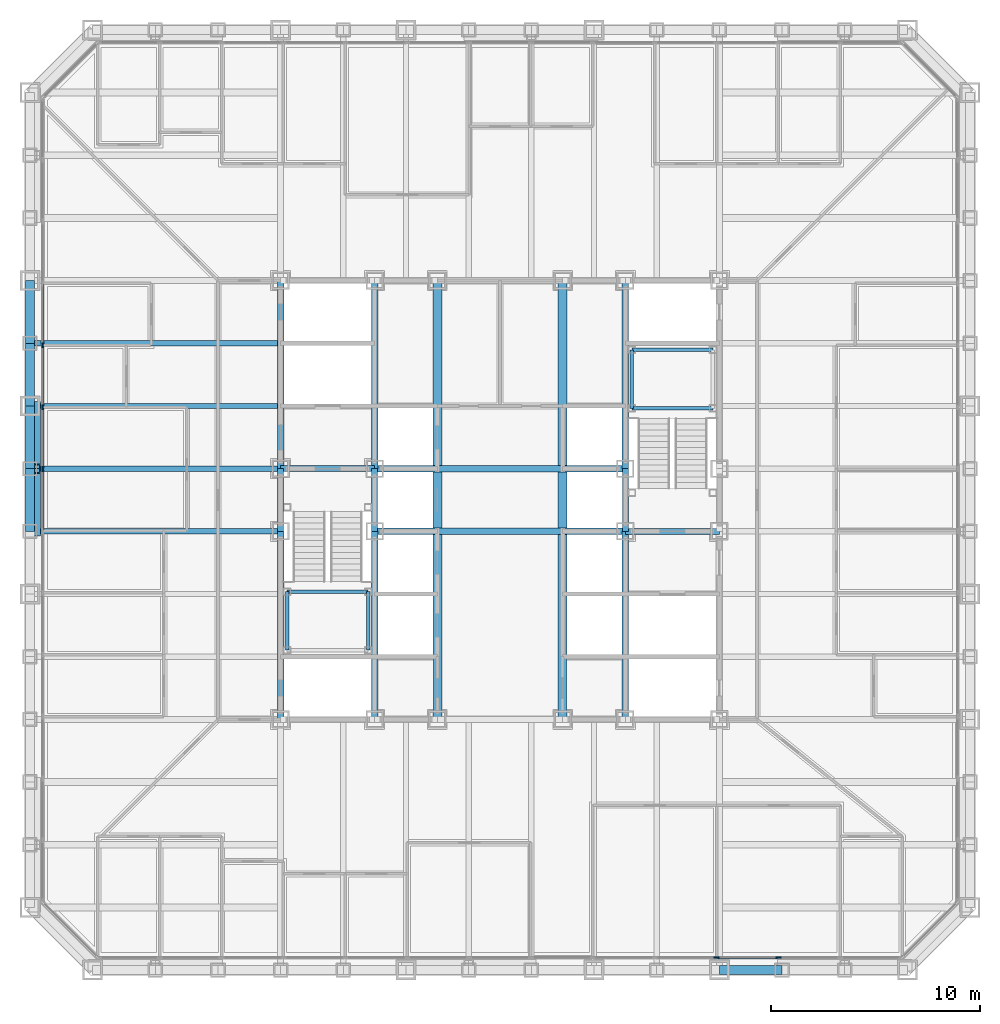
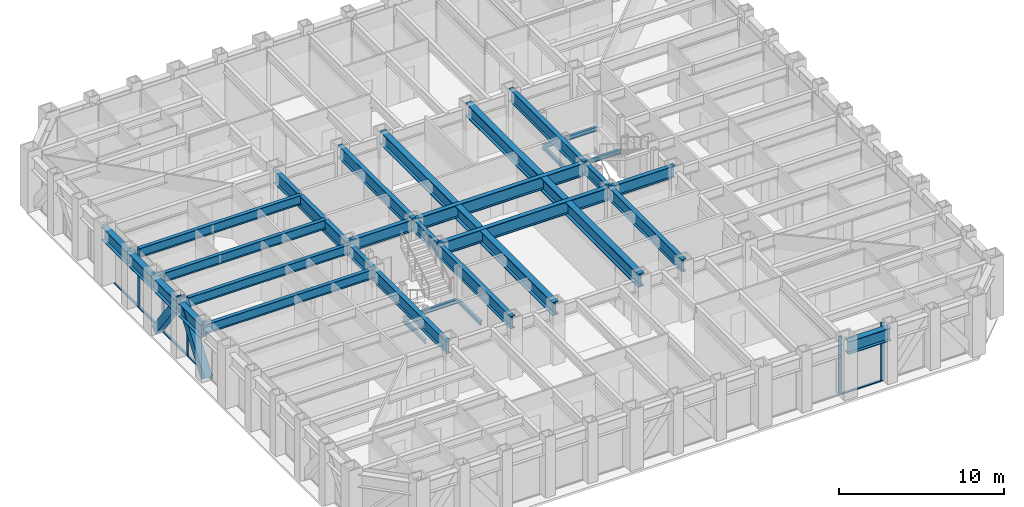
# One storey, part 3 of 17: 34 beams, 12 members, 2 elements without a shape of their own.
"""IFC4 building model written with IfcOpenShell, lengths in metres."""

import ifcopenshell
import ifcopenshell.guid

model = None  # the IFC model being written
_history = None  # IfcOwnerHistory: only IFC2X3 demands one
_inside = {}  # id of a spatial element -> (the spatial element, [elements in it])
_under = {}  # id of a project, library or spatial element -> (it, [spatial elements below it])
_declared = {}  # id of a project -> (the project, [libraries it declares])
_typed = {}  # id of a type object -> (the type object, [elements of that type])
_made_of = {}  # id of a material, layer set ... -> (it, [elements and type objects made of it])


def new_model(schema):
    """Start an empty IFC model of exactly this schema.

    Asked for "IFC4X3", IfcOpenShell would pick the latest addendum, in which some entities
    have other attributes; the version numbers below select the first issue.
    IFC2X3 requires an IfcOwnerHistory on every rooted entity: one is made here for all.
    """
    global model, _history
    if schema == "IFC4X3":
        model = ifcopenshell.file(schema_version=(4, 3, 0, 0))
    else:
        model = ifcopenshell.file(schema=schema)
    _inside.clear()
    _under.clear()
    _declared.clear()
    _typed.clear()
    _made_of.clear()
    _history = None
    if model.schema == "IFC2X3":
        org = make("IfcOrganization", Name="unknown")
        user = make(
            "IfcPersonAndOrganization",
            ThePerson=make("IfcPerson", FamilyName="unknown"),
            TheOrganization=org,
        )
        app = make(
            "IfcApplication",
            ApplicationDeveloper=org,
            Version="unknown",
            ApplicationFullName="unknown",
            ApplicationIdentifier="unknown",
        )
        _history = make(
            "IfcOwnerHistory",
            OwningUser=user,
            OwningApplication=app,
            ChangeAction="ADDED",
            CreationDate=0,
        )
    return model


def make(cls, **values):
    """One entity of the class cls with the attributes given. An attribute that is None is left unset."""
    return model.create_entity(
        cls, **{name: value for name, value in values.items() if value is not None}
    )


def rooted(cls, **values):
    """An entity with a GlobalId (a new one), such as an element, a storey or a relation."""
    return make(cls, GlobalId=ifcopenshell.guid.new(), OwnerHistory=_history, **values)


def si_unit(unit_type, name, prefix=None):
    """IfcSIUnit, for example si_unit("LENGTHUNIT", "METRE", prefix="MILLI")."""
    return make("IfcSIUnit", UnitType=unit_type, Prefix=prefix, Name=name)


def assignment(units):
    """IfcUnitAssignment: the units of a project."""
    return None if units is None else make("IfcUnitAssignment", Units=units)


def point(xyz):
    """IfcCartesianPoint."""
    return None if xyz is None else make("IfcCartesianPoint", Coordinates=xyz)


def direction(xyz):
    """IfcDirection."""
    return None if xyz is None else make("IfcDirection", DirectionRatios=xyz)


def frame(location, z_axis=None, x_axis=None):
    """IfcAxis2Placement3D, a coordinate frame: its origin and axes. An axis left out is left unset."""
    return make(
        "IfcAxis2Placement3D",
        Location=point(location),
        Axis=direction(z_axis),
        RefDirection=direction(x_axis),
    )


def frame_2d(location, x_axis=None):
    """IfcAxis2Placement2D, a coordinate frame in the plane: its origin and x axis."""
    return make(
        "IfcAxis2Placement2D", Location=point(location), RefDirection=direction(x_axis)
    )


def origin():
    """The frame at (0, 0, 0) with its axes left unset."""
    return frame((0.0, 0.0, 0.0))


def origin_2d():
    """The frame at (0, 0) in the plane with its x axis left unset."""
    return frame_2d((0.0, 0.0))


def place(relative_to, where):
    """IfcLocalPlacement: puts the frame where relative to a parent placement (None: the world)."""
    return make(
        "IfcLocalPlacement", PlacementRelTo=relative_to, RelativePlacement=where
    )


def context(
    kind, dimensions, precision=None, world=None, true_north=None, identifier=None
):
    """IfcGeometricRepresentationContext, for example the 3D "Model" context."""
    return make(
        "IfcGeometricRepresentationContext",
        ContextIdentifier=identifier,
        ContextType=kind,
        CoordinateSpaceDimension=dimensions,
        Precision=precision,
        WorldCoordinateSystem=world,
        TrueNorth=true_north,
    )


def subcontext(parent, identifier, kind, view, scale=None):
    """IfcGeometricRepresentationSubContext, for example "Body" below "Model"."""
    return make(
        "IfcGeometricRepresentationSubContext",
        ContextIdentifier=identifier,
        ContextType=kind,
        ParentContext=parent,
        TargetScale=scale,
        TargetView=view,
    )


def project(units=None, contexts=None):
    """IfcProject with its units and contexts."""
    return rooted(
        "IfcProject",
        Name="project",
        RepresentationContexts=contexts,
        UnitsInContext=assignment(units),
    )


def spatial(cls, under=None, at=None, **own):
    """A site, building, storey or space (cls), placed at a placement, below another one or the project."""
    s = rooted(cls, ObjectPlacement=at, **own)
    if under is not None:
        _under.setdefault(under.id(), (under, []))[1].append(s)
    return s


def profile(cls, at=None, kind="AREA", **sizes):
    """A parametric profile (cls). Its sizes go by their IFC names, for example OverallWidth=200.0."""
    return make(cls, ProfileType=kind, Position=at, **sizes)


def rectangle(**sizes):
    """IfcRectangleProfileDef."""
    return profile("IfcRectangleProfileDef", **sizes)


def hollow_rectangle(**sizes):
    """IfcRectangleHollowProfileDef."""
    return profile("IfcRectangleHollowProfileDef", **sizes)


def i_section(**sizes):
    """IfcIShapeProfileDef."""
    return profile("IfcIShapeProfileDef", **sizes)


def extrude(swept, where, along, depth):
    """IfcExtrudedAreaSolid: the profile swept, set in the frame where, extruded along a direction by depth."""
    return make(
        "IfcExtrudedAreaSolid",
        SweptArea=swept,
        Position=where,
        ExtrudedDirection=direction(along),
        Depth=depth,
    )


def shape(context_of_items, identifier, shape_type, items):
    """IfcShapeRepresentation: the items that make up one representation, for example the "Body"."""
    return make(
        "IfcShapeRepresentation",
        ContextOfItems=context_of_items,
        RepresentationIdentifier=identifier,
        RepresentationType=shape_type,
        Items=items,
    )


def material(Name=None, Category=None):
    """IfcMaterial."""
    return make("IfcMaterial", Name=Name, Category=Category)


def layer(
    of_material, thickness, ventilated=None, Name=None, Category=None, Priority=None
):
    """IfcMaterialLayer: one layer of a wall or slab, of a material (None: an air gap)."""
    return make(
        "IfcMaterialLayer",
        Material=of_material,
        LayerThickness=thickness,
        IsVentilated=ventilated,
        Name=Name,
        Category=Category,
        Priority=Priority,
    )


def layer_set(layers, Name=None):
    """IfcMaterialLayerSet."""
    return make("IfcMaterialLayerSet", MaterialLayers=layers, LayerSetName=Name)


def material_profile(
    of_material, cross_section, Name=None, Category=None, Priority=None
):
    """IfcMaterialProfile: a cross section and its material."""
    return make(
        "IfcMaterialProfile",
        Name=Name,
        Material=of_material,
        Profile=cross_section,
        Priority=Priority,
        Category=Category,
    )


def profile_set(profiles, Name=None, composite=None):
    """IfcMaterialProfileSet."""
    return make(
        "IfcMaterialProfileSet",
        Name=Name,
        MaterialProfiles=profiles,
        CompositeProfile=composite,
    )


def made_of(thing, what):
    """Note that an element or type object is made of a material, layer set ...; save() writes the relation."""
    if what is not None:
        _made_of.setdefault(what.id(), (what, []))[1].append(thing)
    return thing


def type_object(cls, material=None, **own):
    """A type object (cls), such as IfcWallType, which elements share."""
    return made_of(rooted(cls, **own), material)


def element(
    cls,
    number,
    at=None,
    inside=None,
    cuts=None,
    type_object=None,
    material=None,
    context=None,
    identifier="Body",
    shape_type=None,
    held_by="IfcProductDefinitionShape",
    body=None,
    shapes=None,
    **own,
):
    """One element of the class cls, such as IfcWall. Its Tag is "e" and its number.

    at: its placement. inside: the storey or other place that contains it. cuts: it is an
    opening in that element (IfcRelVoidsElement). A single representation is given by context,
    identifier, shape_type and body (its items); several are given by shapes. held_by: the class
    of the entity that holds the representations. save() writes the other relations.
    """
    e = rooted(cls, Tag="e%d" % number, ObjectPlacement=at, **own)
    if body is not None:
        shapes = [shape(context, identifier, shape_type, body)]
    if shapes is not None:
        e.Representation = make(held_by, Representations=shapes)
    if inside is not None:
        _inside.setdefault(inside.id(), (inside, []))[1].append(e)
    if cuts is not None:
        rooted(
            "IfcRelVoidsElement", RelatingBuildingElement=cuts, RelatedOpeningElement=e
        )
    if type_object is not None:
        _typed.setdefault(type_object.id(), (type_object, []))[1].append(e)
    return made_of(e, material)


def aggregate(whole, parts):
    """IfcRelAggregates: a whole, such as a stair, and the parts it consists of."""
    return rooted("IfcRelAggregates", RelatingObject=whole, RelatedObjects=parts)


def save(model, path):
    """Write the relations noted so far, then the file.

    IfcRelAggregates (storeys below a building ...), IfcRelContainedInSpatialStructure (elements
    in a storey), IfcRelDefinesByType, IfcRelAssociatesMaterial and IfcRelDeclares: one each for
    every whole, place, type object, material and project.
    """
    for whole, parts in _under.values():
        aggregate(whole, parts)
    for where, things in _inside.values():
        rooted(
            "IfcRelContainedInSpatialStructure",
            RelatedElements=things,
            RelatingStructure=where,
        )
    for kind, things in _typed.values():
        rooted("IfcRelDefinesByType", RelatedObjects=things, RelatingType=kind)
    for what, things in _made_of.values():
        rooted("IfcRelAssociatesMaterial", RelatedObjects=things, RelatingMaterial=what)
    for by, libraries in _declared.values():
        rooted("IfcRelDeclares", RelatingContext=by, RelatedDefinitions=libraries)
    model.write(path)


model = new_model("IFC4")

# Units and contexts
model_context = context("Model", 3, precision=1e-05, world=origin(), true_north=direction((0.0, 1.0)))
body_context = subcontext(model_context, "Body", "Model", "MODEL_VIEW")
ifc_project = project(units=[si_unit("LENGTHUNIT", "METRE"), si_unit("AREAUNIT", "SQUARE_METRE"), si_unit("VOLUMEUNIT", "CUBIC_METRE"), si_unit("PLANEANGLEUNIT", "RADIAN"), si_unit("MASSUNIT", "GRAM", prefix="KILO")], contexts=[model_context])

# Site, building, storey
site_placement = place(None, origin())
site = spatial("IfcSite", under=ifc_project, at=site_placement, CompositionType="ELEMENT")
building_placement = place(site_placement, origin())
building = spatial("IfcBuilding", under=site, at=building_placement, Name="Chuquiago Exchange Tower", CompositionType="ELEMENT")
storey_placement = place(building_placement, frame((0.0, 0.0, 46.800048828125)))
storey = spatial("IfcBuildingStorey", under=building, at=storey_placement, Name="L09", CompositionType="ELEMENT", Elevation=46.800048828125)

# Beams
ifc_material_1 = material(Name="Steel ASTM A992", Category="steel")
ifc_material_profile_1 = material_profile(ifc_material_1, i_section(OverallWidth=0.307373046875, OverallDepth=0.927001953125, WebThickness=0.01953125, FlangeThickness=0.031982421875, at=origin_2d()), Name="W36X194")
ifc_profile_set_1 = profile_set([ifc_material_profile_1], Name="Steel ASTM A992")
beam_type_1 = type_object("IfcBeamType", Name="B10 W36X194", PredefinedType="BEAM", material=ifc_profile_set_1)
for number, where, z_axis, x_axis, name in (
    (1, (12.0, 12.0, 3.576416015625), (0.0, 1.0, 0.0), (-1.0, 0.0, 0.0), "CB-L10-12_12-12_21"),
    (2, (12.0, 24.0, 3.576416015625), (0.0, 1.0, 0.0), (-1.0, 0.0, 0.0), "CB-L10-12_24-12_33"),
    (3, (16.5, 12.0, 3.87646484375), (0.0, 1.0, 0.0), (-1.0, 0.0, 0.0), "CB-L10-16.5_12-16.5_21"),
    (4, (16.5, 24.0, 3.87646484375), (0.0, 1.0, 0.0), (-1.0, 0.0, 0.0), "CB-L10-16.5_24-16.5_33"),
    (5, (28.5, 12.0, 3.87646484375), (0.0, 1.0, 0.0), (-1.0, 0.0, 0.0), "CB-L10-28.5_12-28.5_21"),
    (6, (28.5, 24.0, 3.87646484375), (0.0, 1.0, 0.0), (-1.0, 0.0, 0.0), "CB-L10-28.5_24-28.5_33"),
):
    element("IfcBeam", number, at=place(storey_placement, frame(where, z_axis=z_axis, x_axis=x_axis)), inside=storey, type_object=beam_type_1, Name=name, PredefinedType="BEAM", context=body_context, shape_type="SweptSolid", body=[
        extrude(i_section(OverallWidth=0.307373046875, OverallDepth=0.927001953125, WebThickness=0.01953125, FlangeThickness=0.031982421875, at=origin_2d()), origin(), (0.0, 0.0, 1.0), 9.0),
    ])
ifc_material_2 = material(Name="Steel ASTM A992", Category="steel")
ifc_material_profile_2 = material_profile(ifc_material_2, i_section(OverallWidth=0.309814453125, OverallDepth=0.949951171875, WebThickness=0.0244140625, FlangeThickness=0.0439453125, at=origin_2d()), Name="W36X256")
ifc_profile_set_2 = profile_set([ifc_material_profile_2], Name="Steel ASTM A992")
beam_type_2 = type_object("IfcBeamType", Name="B11 W36X256", PredefinedType="BEAM", material=ifc_profile_set_2)
for number, where, z_axis, x_axis, name in (
    (7, (16.5, 21.0, 3.864990234375), (1.0, 0.0, 0.0), (0.0, 1.0, 0.0), "CB-L10-16.5_21-28.5_21"),
    (8, (16.5, 24.0, 3.864990234375), (1.0, 0.0, 0.0), (0.0, 1.0, 0.0), "CB-L10-16.5_24-28.5_24"),
):
    element("IfcBeam", number, at=place(storey_placement, frame(where, z_axis=z_axis, x_axis=x_axis)), inside=storey, type_object=beam_type_2, Name=name, PredefinedType="BEAM", context=body_context, shape_type="SweptSolid", body=[
        extrude(i_section(OverallWidth=0.309814453125, OverallDepth=0.949951171875, WebThickness=0.0244140625, FlangeThickness=0.0439453125, at=origin_2d()), origin(), (0.0, 0.0, 1.0), 12.0),
    ])
ifc_material_3 = material(Name="Steel ASTM A992", Category="steel")
ifc_material_profile_3 = material_profile(ifc_material_3, i_section(OverallWidth=0.4267578125, OverallDepth=0.975341796875, WebThickness=0.031005859375, FlangeThickness=0.055908203125, at=origin_2d()), Name="W36X395")
ifc_profile_set_3 = profile_set([ifc_material_profile_3], Name="Steel ASTM A992")
beam_type_3 = type_object("IfcBeamType", Name="B12 W36X395", PredefinedType="BEAM", material=ifc_profile_set_3)
beam_1_placement = place(storey_placement, frame((19.5, 12.0, 3.852294921875), z_axis=(0.0, 1.0, 0.0), x_axis=(-1.0, 0.0, 0.0)))
element("IfcBeam", 9, at=beam_1_placement, inside=storey, type_object=beam_type_3, Name="CB-L10-19.5_12-19.5_20.8451", PredefinedType="BEAM", context=body_context, shape_type="SweptSolid", body=[
    extrude(i_section(OverallWidth=0.4267578125, OverallDepth=0.975341796875, WebThickness=0.031005859375, FlangeThickness=0.055908203125, at=origin_2d()), origin(), (0.0, 0.0, 1.0), 8.84521484375),
])
beam_2_placement = place(storey_placement, frame((19.5, 21.15478515625, 3.852294921875), z_axis=(0.0, 1.0, 0.0), x_axis=(-1.0, 0.0, 0.0)))
element("IfcBeam", 10, at=beam_2_placement, inside=storey, type_object=beam_type_3, Name="CB-L10-19.5_21.1549-19.5_23.8451", PredefinedType="BEAM", context=body_context, shape_type="SweptSolid", body=[
    extrude(i_section(OverallWidth=0.4267578125, OverallDepth=0.975341796875, WebThickness=0.031005859375, FlangeThickness=0.055908203125, at=origin_2d()), origin(), (0.0, 0.0, 1.0), 2.6904296875),
])
for number, where, z_axis, x_axis, name in (
    (11, (19.5, 24.15478515625, 3.852294921875), (0.0, 1.0, 0.0), (-1.0, 0.0, 0.0), "CB-L10-19.5_24.1549-19.5_33"),
    (12, (25.5, 12.0, 3.852294921875), (0.0, 1.0, 0.0), (-1.0, 0.0, 0.0), "CB-L10-25.5_12-25.5_20.8451"),
):
    element("IfcBeam", number, at=place(storey_placement, frame(where, z_axis=z_axis, x_axis=x_axis)), inside=storey, type_object=beam_type_3, Name=name, PredefinedType="BEAM", context=body_context, shape_type="SweptSolid", body=[
        extrude(i_section(OverallWidth=0.4267578125, OverallDepth=0.975341796875, WebThickness=0.031005859375, FlangeThickness=0.055908203125, at=origin_2d()), origin(), (0.0, 0.0, 1.0), 8.84521484375),
    ])
beam_3_placement = place(storey_placement, frame((25.5, 21.15478515625, 3.852294921875), z_axis=(0.0, 1.0, 0.0), x_axis=(-1.0, 0.0, 0.0)))
element("IfcBeam", 13, at=beam_3_placement, inside=storey, type_object=beam_type_3, Name="CB-L10-25.5_21.1549-25.5_23.8451", PredefinedType="BEAM", context=body_context, shape_type="SweptSolid", body=[
    extrude(i_section(OverallWidth=0.4267578125, OverallDepth=0.975341796875, WebThickness=0.031005859375, FlangeThickness=0.055908203125, at=origin_2d()), origin(), (0.0, 0.0, 1.0), 2.6904296875),
])
beam_4_placement = place(storey_placement, frame((25.5, 24.15478515625, 3.852294921875), z_axis=(0.0, 1.0, 0.0), x_axis=(-1.0, 0.0, 0.0)))
element("IfcBeam", 14, at=beam_4_placement, inside=storey, type_object=beam_type_3, Name="CB-L10-25.5_24.1549-25.5_33", PredefinedType="BEAM", context=body_context, shape_type="SweptSolid", body=[
    extrude(i_section(OverallWidth=0.4267578125, OverallDepth=0.975341796875, WebThickness=0.031005859375, FlangeThickness=0.055908203125, at=origin_2d()), origin(), (0.0, 0.0, 1.0), 8.84521484375),
])
ifc_material_4 = material(Name="Steel ASTM A992", Category="steel")
ifc_material_profile_4 = material_profile(ifc_material_4, i_section(OverallWidth=0.2919921875, OverallDepth=0.8583984375, WebThickness=0.01708984375, FlangeThickness=0.031005859375, at=origin_2d()), Name="W33X169")
ifc_profile_set_4 = profile_set([ifc_material_profile_4], Name="Steel ASTM A992")
beam_type_4 = type_object("IfcBeamType", Name="B3 W33X169", PredefinedType="BEAM", material=ifc_profile_set_4)
for number, where, z_axis, x_axis, name in (
    (15, (12.0, 21.0, 3.610595703125), (0.0, 1.0, 0.0), (-1.0, 0.0, 0.0), "CB-L10-12_21-12_24"),
    (16, (16.5, 21.0, 3.91064453125), (0.0, 1.0, 0.0), (-1.0, 0.0, 0.0), "CB-L10-16.5_21-16.5_24"),
    (17, (28.5, 21.0, 3.91064453125), (0.0, 1.0, 0.0), (-1.0, 0.0, 0.0), "CB-L10-28.5_21-28.5_24"),
):
    element("IfcBeam", number, at=place(storey_placement, frame(where, z_axis=z_axis, x_axis=x_axis)), inside=storey, type_object=beam_type_4, Name=name, PredefinedType="BEAM", context=body_context, shape_type="SweptSolid", body=[
        extrude(i_section(OverallWidth=0.2919921875, OverallDepth=0.8583984375, WebThickness=0.01708984375, FlangeThickness=0.031005859375, at=origin_2d()), origin(), (0.0, 0.0, 1.0), 3.0),
    ])
for number, where, z_axis, x_axis, name in (
    (18, (28.5, 21.0, 3.91064453125), (1.0, 0.0, 0.0), (0.0, 1.0, 0.0), "CB-L10-28.5_21-33_21"),
    (19, (12.0, 24.0, 3.91064453125), (1.0, 0.0, 0.0), (0.0, 1.0, 0.0), "CB-L10-12_24-16.5_24"),
):
    element("IfcBeam", number, at=place(storey_placement, frame(where, z_axis=z_axis, x_axis=x_axis)), inside=storey, type_object=beam_type_4, Name=name, PredefinedType="BEAM", context=body_context, shape_type="SweptSolid", body=[
        extrude(i_section(OverallWidth=0.2919921875, OverallDepth=0.8583984375, WebThickness=0.01708984375, FlangeThickness=0.031005859375, at=origin_2d()), origin(), (0.0, 0.0, 1.0), 4.5),
    ])
ifc_material_5 = material(Name="Steel ASTM A992", Category="steel")
ifc_material_profile_5 = material_profile(ifc_material_5, i_section(OverallWidth=0.256591796875, OverallDepth=0.693359375, WebThickness=0.014404296875, FlangeThickness=0.023681640625, at=origin_2d()), Name="W27X114")
ifc_profile_set_5 = profile_set([ifc_material_profile_5], Name="Steel ASTM A992")
beam_type_5 = type_object("IfcBeamType", Name="B4 W27X114", PredefinedType="BEAM", material=ifc_profile_set_5)
for number, where, z_axis, x_axis, name in (
    (20, (12.0, 21.0, 3.693359375), (-1.0, 0.0, 0.0), (0.0, -1.0, 0.0), "FB-L10-infill-12_21--0_21-0"),
    (21, (12.0, 24.0, 3.693359375), (-1.0, 0.0, 0.0), (0.0, -1.0, 0.0), "FB-L10-infill-12_24--0_24-0"),
    (22, (12.0, 27.0, 3.693359375), (-1.0, 0.0, 0.0), (0.0, -1.0, 0.0), "FB-L10-infill-12_27--0_27-0"),
    (23, (12.0, 30.0, 3.693359375), (-1.0, 0.0, 0.0), (0.0, -1.0, 0.0), "FB-L10-infill-12_30--0_30-0"),
):
    element("IfcBeam", number, at=place(storey_placement, frame(where, z_axis=z_axis, x_axis=x_axis)), inside=storey, type_object=beam_type_5, Name=name, PredefinedType="BEAM", context=body_context, shape_type="SweptSolid", body=[
        extrude(i_section(OverallWidth=0.256591796875, OverallDepth=0.693359375, WebThickness=0.014404296875, FlangeThickness=0.023681640625, at=origin_2d()), origin(), (0.0, 0.0, 1.0), 12.0),
    ])

# Curtain wall, members
ifc_material_6 = material(Name="Aluminium curtain wall system", Category="aluminium")
ifc_layer = layer(ifc_material_6, 0.25)
ifc_layer_set = layer_set([ifc_layer], Name="CW1 trading floor curtain wall")
curtain_wall_type = type_object("IfcCurtainWallType", Name="CW1 trading floor curtain wall", PredefinedType="NOTDEFINED", material=ifc_layer_set)
curtain_wall_1_placement = place(storey_placement, origin())
curtain_wall_1 = element("IfcCurtainWall", 24, at=curtain_wall_1_placement, inside=storey, type_object=curtain_wall_type, Name="CW1 curtain wall L09", PredefinedType="NOTDEFINED")
ifc_material_7 = material(Name="Aluminium mullion, pale anodised", Category="aluminium")
ifc_material_profile_6 = material_profile(ifc_material_7, rectangle(XDim=0.074951171875, YDim=0.25, at=origin_2d()), Name="AL 75x250")
ifc_profile_set_6 = profile_set([ifc_material_profile_6], Name="Aluminium mullion, pale anodised")
member_type_1 = type_object("IfcMemberType", Name="CW1-M mullion 75x250", PredefinedType="MULLION", material=ifc_profile_set_6)
member_1_placement = place(storey_placement, frame((32.8662109375, 0.60009765625, -0.300048828125), z_axis=(0.0, 0.0, 1.0), x_axis=(0.0, 1.0, 0.0)))
member_1 = element("IfcMember", 25, at=member_1_placement, type_object=member_type_1, Name="CW1 mullion 11", PredefinedType="MULLION", context=body_context, shape_type="SweptSolid", body=[
    extrude(rectangle(XDim=0.074951171875, YDim=0.25, at=origin_2d()), origin(), (0.0, 0.0, 1.0), 4.340087890625),
])
member_2_placement = place(storey_placement, frame((35.827880859375, 0.60009765625, -0.300048828125), z_axis=(0.0, 0.0, 1.0), x_axis=(0.0, 1.0, 0.0)))
member_2 = element("IfcMember", 26, at=member_2_placement, type_object=member_type_1, Name="CW1 mullion 12", PredefinedType="MULLION", context=body_context, shape_type="SweptSolid", body=[
    extrude(rectangle(XDim=0.074951171875, YDim=0.25, at=origin_2d()), origin(), (0.0, 0.0, 1.0), 4.340087890625),
])

curtain_wall_2_placement = place(storey_placement, origin())
curtain_wall_2 = element("IfcCurtainWall", 27, at=curtain_wall_2_placement, inside=storey, type_object=curtain_wall_type, Name="CW1 curtain wall L09", PredefinedType="NOTDEFINED")
member_3_placement = place(storey_placement, frame((0.60009765625, 29.904541015625, -0.300048828125), z_axis=(0.0, 0.0, 1.0), x_axis=(1.0, 0.0, 0.0)))
member_3 = element("IfcMember", 28, at=member_3_placement, type_object=member_type_1, Name="CW1 mullion 5", PredefinedType="MULLION", context=body_context, shape_type="SweptSolid", body=[
    extrude(rectangle(XDim=0.074951171875, YDim=0.25, at=origin_2d()), origin(), (0.0, 0.0, 1.0), 4.340087890625),
])
member_4_placement = place(storey_placement, frame((0.60009765625, 26.942626953125, -0.300048828125), z_axis=(0.0, 0.0, 1.0), x_axis=(1.0, 0.0, 0.0)))
member_4 = element("IfcMember", 29, at=member_4_placement, type_object=member_type_1, Name="CW1 mullion 6", PredefinedType="MULLION", context=body_context, shape_type="SweptSolid", body=[
    extrude(rectangle(XDim=0.074951171875, YDim=0.25, at=origin_2d()), origin(), (0.0, 0.0, 1.0), 4.340087890625),
])
member_5_placement = place(storey_placement, frame((0.60009765625, 23.98095703125, -0.300048828125), z_axis=(0.0, 0.0, 1.0), x_axis=(1.0, 0.0, 0.0)))
member_5 = element("IfcMember", 30, at=member_5_placement, type_object=member_type_1, Name="CW1 mullion 7", PredefinedType="MULLION", context=body_context, shape_type="SweptSolid", body=[
    extrude(rectangle(XDim=0.074951171875, YDim=0.25, at=origin_2d()), origin(), (0.0, 0.0, 1.0), 4.340087890625),
])

# Member
ifc_material_8 = material(Name="Aluminium transom, pale anodised", Category="aluminium")
ifc_material_profile_7 = material_profile(ifc_material_8, rectangle(XDim=0.14990234375, YDim=0.074951171875, at=origin_2d()), Name="AL 150x75")
ifc_profile_set_7 = profile_set([ifc_material_profile_7], Name="Aluminium transom, pale anodised")
member_type_2 = type_object("IfcMemberType", Name="CW1-T transom 75x150", PredefinedType="MULLION", material=ifc_profile_set_7)
member_6_placement = place(storey_placement, frame((32.90380859375, 0.60009765625, -0.262451171875), z_axis=(1.0, 0.0, 0.0), x_axis=(0.0, 1.0, 0.0)))
member_6 = element("IfcMember", 31, at=member_6_placement, type_object=member_type_2, Name="CW1 transom 11.1", PredefinedType="MULLION", context=body_context, shape_type="SweptSolid", body=[
    extrude(rectangle(XDim=0.14990234375, YDim=0.074951171875, at=origin_2d()), origin(), (0.0, 0.0, 1.0), 2.88671875),
])

aggregate(curtain_wall_1, [member_1, member_2, member_6])

member_7_placement = place(storey_placement, frame((0.60009765625, 32.82861328125, -0.262451171875), z_axis=(0.0, -1.0, 0.0), x_axis=(1.0, 0.0, 0.0)))
member_7 = element("IfcMember", 32, at=member_7_placement, type_object=member_type_2, Name="CW1 transom 4.1", PredefinedType="MULLION", context=body_context, shape_type="SweptSolid", body=[
    extrude(rectangle(XDim=0.14990234375, YDim=0.074951171875, at=origin_2d()), origin(), (0.0, 0.0, 1.0), 2.88671875),
])

member_8_placement = place(storey_placement, frame((0.60009765625, 29.866943359375, -0.262451171875), z_axis=(0.0, -1.0, 0.0), x_axis=(1.0, 0.0, 0.0)))
member_8 = element("IfcMember", 33, at=member_8_placement, type_object=member_type_2, Name="CW1 transom 5.1", PredefinedType="MULLION", context=body_context, shape_type="SweptSolid", body=[
    extrude(rectangle(XDim=0.14990234375, YDim=0.074951171875, at=origin_2d()), origin(), (0.0, 0.0, 1.0), 2.88671875),
])

member_9_placement = place(storey_placement, frame((0.60009765625, 26.9052734375, -0.262451171875), z_axis=(0.0, -1.0, 0.0), x_axis=(1.0, 0.0, 0.0)))
member_9 = element("IfcMember", 34, at=member_9_placement, type_object=member_type_2, Name="CW1 transom 6.1", PredefinedType="MULLION", context=body_context, shape_type="SweptSolid", body=[
    extrude(rectangle(XDim=0.14990234375, YDim=0.074951171875, at=origin_2d()), origin(), (0.0, 0.0, 1.0), 2.886962890625),
])

member_10_placement = place(storey_placement, frame((0.60009765625, 23.943359375, -0.262451171875), z_axis=(0.0, -1.0, 0.0), x_axis=(1.0, 0.0, 0.0)))
member_10 = element("IfcMember", 35, at=member_10_placement, type_object=member_type_2, Name="CW1 transom 7.1", PredefinedType="MULLION", context=body_context, shape_type="SweptSolid", body=[
    extrude(rectangle(XDim=0.14990234375, YDim=0.074951171875, at=origin_2d()), origin(), (0.0, 0.0, 1.0), 2.88671875),
])

aggregate(curtain_wall_2, [member_3, member_4, member_5, member_7, member_8, member_9, member_10])

# Beams
ifc_material_9 = material(Name="Steel ASTM A992", Category="steel")
ifc_material_profile_8 = material_profile(ifc_material_9, i_section(OverallWidth=0.164794921875, OverallDepth=0.309814453125, WebThickness=0.005859375, FlangeThickness=0.009765625, at=origin_2d()), Name="W12X26")
ifc_profile_set_8 = profile_set([ifc_material_profile_8], Name="Steel ASTM A992")
beam_type_6 = type_object("IfcBeamType", Name="LS1 W12X26", PredefinedType="BEAM", material=ifc_profile_set_8)
for number, where, z_axis, x_axis, name in (
    (36, (12.31005859375, 15.31005859375, 1.89501953125), (0.0, 1.0, 0.0), (-1.0, 0.0, 0.0), "Stair ST1 L09 landing 1 stringer"),
    (37, (16.18994140625, 15.31005859375, 1.89501953125), (0.0, 1.0, 0.0), (-1.0, 0.0, 0.0), "Stair ST1 L09 landing 1 stringer"),
    (38, (28.81005859375, 26.889892578125, 1.89501953125), (0.0, 1.0, 0.0), (-1.0, 0.0, 0.0), "Stair ST2 L09 landing 1 stringer"),
):
    element("IfcBeam", number, at=place(storey_placement, frame(where, z_axis=z_axis, x_axis=x_axis)), inside=storey, type_object=beam_type_6, Name=name, PredefinedType="BEAM", context=body_context, shape_type="SweptSolid", body=[
        extrude(i_section(OverallWidth=0.164794921875, OverallDepth=0.309814453125, WebThickness=0.005859375, FlangeThickness=0.009765625, at=origin_2d()), origin(), (0.0, 0.0, 1.0), 2.800048828125),
    ])
ifc_material_10 = material(Name="Steel ASTM A992", Category="steel")
ifc_material_profile_9 = material_profile(ifc_material_10, i_section(OverallWidth=0.164794921875, OverallDepth=0.309814453125, WebThickness=0.005859375, FlangeThickness=0.009765625, at=origin_2d()), Name="W12X26")
ifc_profile_set_9 = profile_set([ifc_material_profile_9], Name="Steel ASTM A992")
beam_type_7 = type_object("IfcBeamType", Name="LT1 W12X26", PredefinedType="BEAM", material=ifc_profile_set_9)
for number, where, z_axis, x_axis, name in (
    (39, (12.31005859375, 18.110107421875, 1.89501953125), (1.0, 0.0, 0.0), (0.0, 1.0, 0.0), "Stair ST1 L09 landing 1 trimmer"),
    (40, (28.81005859375, 29.68994140625, 1.89501953125), (1.0, 0.0, 0.0), (0.0, 1.0, 0.0), "Stair ST2 L09 landing 1 trimmer"),
    (41, (28.81005859375, 26.889892578125, 1.89501953125), (1.0, 0.0, 0.0), (0.0, 1.0, 0.0), "Stair ST2 L09 landing 1 trimmer"),
):
    element("IfcBeam", number, at=place(storey_placement, frame(where, z_axis=z_axis, x_axis=x_axis)), inside=storey, type_object=beam_type_7, Name=name, PredefinedType="BEAM", context=body_context, shape_type="SweptSolid", body=[
        extrude(i_section(OverallWidth=0.164794921875, OverallDepth=0.309814453125, WebThickness=0.005859375, FlangeThickness=0.009765625, at=origin_2d()), origin(), (0.0, 0.0, 1.0), 3.8798828125),
    ])

# Members
ifc_material_11 = material(Name="Steel ASTM A572 Grade 50", Category="steel")
ifc_material_profile_10 = material_profile(ifc_material_11, hollow_rectangle(XDim=0.550048828125, YDim=0.550048828125, WallThickness=0.044921875, at=origin_2d()), Name="BOX550X550X45")
ifc_profile_set_10 = profile_set([ifc_material_profile_10], Name="Steel ASTM A572 Grade 50")
member_type_3 = type_object("IfcMemberType", Name="MB1 BOX550X550X45", PredefinedType="BRACE", material=ifc_profile_set_10)
for number, where, z_axis, x_axis, name in (
    (42, (0.22998046875, 27.0, 0.0), (0.0, -0.596173923302, 0.802855312728), (1.0, 0.0, 0.0), "Mega diagonal L09 W face"),
    (43, (0.22998046875, 21.0, 0.0), (0.0, 0.596173923302, 0.802855312728), (-1.0, 0.0, 0.0), "Mega diagonal L09 W face"),
):
    element("IfcMember", number, at=place(storey_placement, frame(where, z_axis=z_axis, x_axis=x_axis)), inside=storey, type_object=member_type_3, Name=name, PredefinedType="BRACE", context=body_context, shape_type="SweptSolid", body=[
        extrude(hollow_rectangle(XDim=0.550048828125, YDim=0.550048828125, WallThickness=0.044921875, at=origin_2d()), origin(), (0.0, 0.0, 1.0), 5.031982421875),
    ])

# Beams
ifc_material_12 = material(Name="Steel ASTM A992", Category="steel")
ifc_material_profile_11 = material_profile(ifc_material_12, i_section(OverallWidth=0.424072265625, OverallDepth=0.947509765625, WebThickness=0.02392578125, FlangeThickness=0.042724609375, at=origin_2d()), Name="W36X302")
ifc_profile_set_11 = profile_set([ifc_material_profile_11], Name="Steel ASTM A992")
beam_type_8 = type_object("IfcBeamType", Name="SP1 W36X302", PredefinedType="SPANDREL", material=ifc_profile_set_11)
for number, where, z_axis, x_axis, name in (
    (44, (33.0, 0.0, 3.566162109375), (1.0, 0.0, 0.0), (0.0, 1.0, 0.0), "SPB-L10-33_0-36_0"),
    (45, (0.0, 33.0, 3.566162109375), (0.0, -1.0, 0.0), (1.0, 0.0, 0.0), "SPB-L10-0_33-0_30"),
    (46, (0.0, 30.0, 3.566162109375), (0.0, -1.0, 0.0), (1.0, 0.0, 0.0), "SPB-L10-0_30-0_27"),
    (47, (0.0, 27.0, 3.566162109375), (0.0, -1.0, 0.0), (1.0, 0.0, 0.0), "SPB-L10-0_27-0_24"),
    (48, (0.0, 24.0, 3.566162109375), (0.0, -1.0, 0.0), (1.0, 0.0, 0.0), "SPB-L10-0_24-0_21"),
):
    element("IfcBeam", number, at=place(storey_placement, frame(where, z_axis=z_axis, x_axis=x_axis)), inside=storey, type_object=beam_type_8, Name=name, PredefinedType="SPANDREL", context=body_context, shape_type="SweptSolid", body=[
        extrude(i_section(OverallWidth=0.424072265625, OverallDepth=0.947509765625, WebThickness=0.02392578125, FlangeThickness=0.042724609375, at=origin_2d()), origin(), (0.0, 0.0, 1.0), 3.0),
    ])

save(model, "model.ifc")
